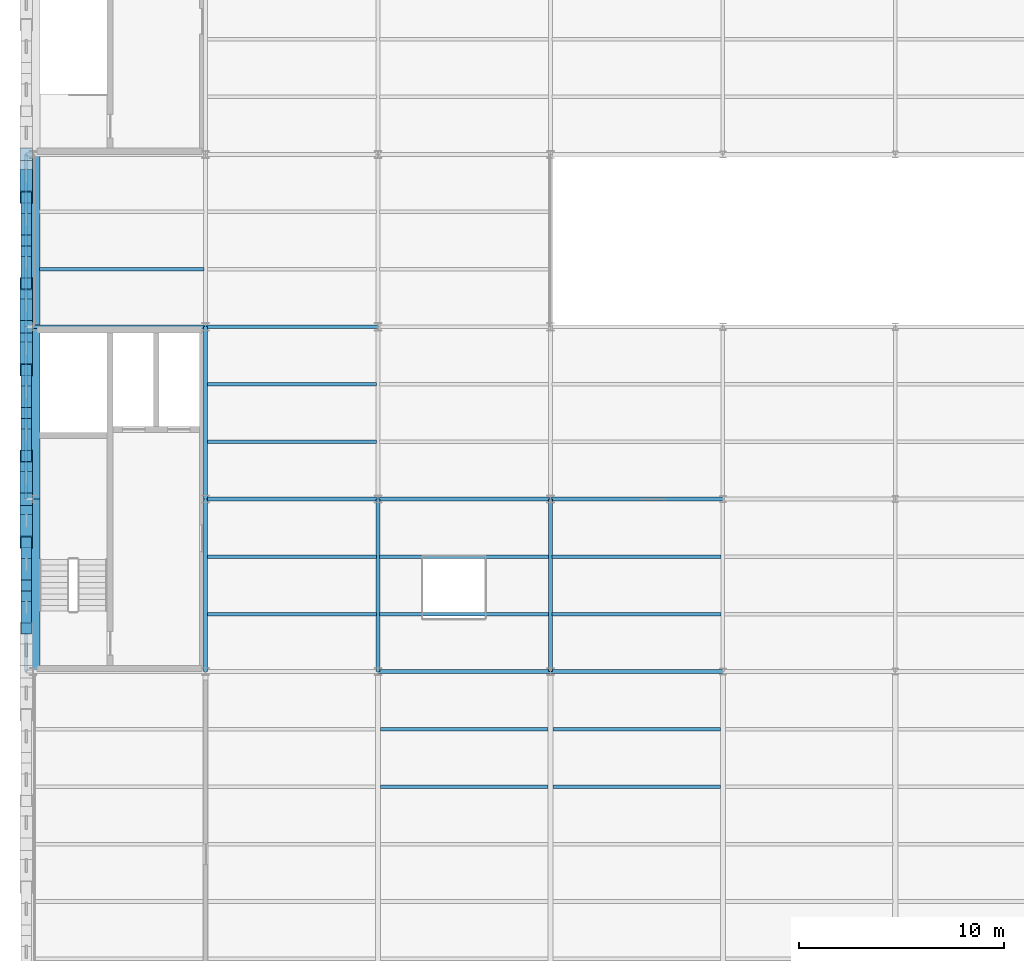
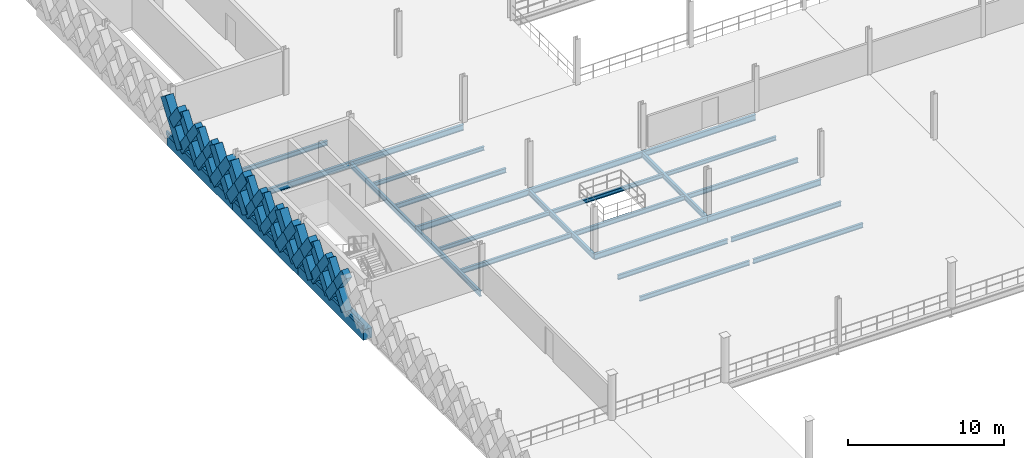
# One storey, part 16 of 47: 35 members, 27 beams.
"""IFC4 building model written with IfcOpenShell, lengths in metres."""

from ifc_helpers import new_model, si_unit, direction, frame, origin, origin_2d, place, context, subcontext, project, spatial, rectangle, hollow_rectangle, i_section, extrude, material, material_profile, profile_set, type_object, element, save


model = new_model("IFC4")

# Units and contexts
model_context = context("Model", 3, precision=1e-05, world=origin(), true_north=direction((0.0, 1.0)))
body_context = subcontext(model_context, "Body", "Model", "MODEL_VIEW")
ifc_project = project(units=[si_unit("LENGTHUNIT", "METRE"), si_unit("AREAUNIT", "SQUARE_METRE"), si_unit("VOLUMEUNIT", "CUBIC_METRE"), si_unit("PLANEANGLEUNIT", "RADIAN"), si_unit("MASSUNIT", "GRAM", prefix="KILO"), si_unit("THERMODYNAMICTEMPERATUREUNIT", "KELVIN"), si_unit("POWERUNIT", "WATT")], contexts=[model_context])

# Site, building, storey
site_placement = place(None, origin())
site = spatial("IfcSite", under=ifc_project, at=site_placement, CompositionType="ELEMENT")
building_placement = place(site_placement, origin())
building = spatial("IfcBuilding", under=site, at=building_placement, Name="Tembeka Court Mobility Hub", CompositionType="ELEMENT")
storey_placement = place(building_placement, frame((0.0, 0.0, 19.800048828125)))
storey = spatial("IfcBuildingStorey", under=building, at=storey_placement, Name="L05", CompositionType="ELEMENT", Elevation=19.800048828125)

# Beams
ifc_material_1 = material(Name="Steel S355", Category="steel")
ifc_material_profile_1 = material_profile(ifc_material_1, i_section(OverallWidth=0.18994140625, OverallDepth=0.45703125, WebThickness=0.009033203125, FlangeThickness=0.014404296875, FilletRadius=0.01025390625, at=origin_2d()), Name="UKB 457x191x74")
ifc_profile_set_1 = profile_set([ifc_material_profile_1], Name="Steel S355")
beam_type_1 = type_object("IfcBeamType", Name="BM-B01", PredefinedType="BEAM", material=ifc_profile_set_1)
beam_1_placement = place(storey_placement, frame((16.800048828125, 38.39990234375, -0.448486328125), z_axis=(1.0, 0.0, 0.0), x_axis=(0.0, 1.0, 0.0)))
element("IfcBeam", 1, at=beam_1_placement, inside=storey, type_object=beam_type_1, Name="Beam B01 (BM-L05-X2693)", PredefinedType="BEAM", context=body_context, shape_type="SweptSolid", body=[
    extrude(i_section(OverallWidth=0.18994140625, OverallDepth=0.45703125, WebThickness=0.009033203125, FlangeThickness=0.014404296875, FilletRadius=0.01025390625, at=origin_2d()), origin(), (0.0, 0.0, 1.0), 8.39990234375),
])
for number, where, z_axis, x_axis, name in (
    (2, (25.199951171875, 38.39990234375, -0.448486328125), (1.0, 0.0, 0.0), (0.0, 1.0, 0.0), "Beam B01 (BM-L05-X2694)"),
    (3, (8.39990234375, 46.800048828125, -0.448486328125), (1.0, 0.0, 0.0), (0.0, 1.0, 0.0), "Beam B01 (BM-L05-X2702)"),
):
    element("IfcBeam", number, at=place(storey_placement, frame(where, z_axis=z_axis, x_axis=x_axis)), inside=storey, type_object=beam_type_1, Name=name, PredefinedType="BEAM", context=body_context, shape_type="SweptSolid", body=[
        extrude(i_section(OverallWidth=0.18994140625, OverallDepth=0.45703125, WebThickness=0.009033203125, FlangeThickness=0.014404296875, FilletRadius=0.01025390625, at=origin_2d()), origin(), (0.0, 0.0, 1.0), 8.400146484375),
    ])
beam_2_placement = place(storey_placement, frame((16.800048828125, 46.800048828125, -0.448486328125), z_axis=(1.0, 0.0, 0.0), x_axis=(0.0, 1.0, 0.0)))
element("IfcBeam", 4, at=beam_2_placement, inside=storey, type_object=beam_type_1, Name="Beam B01 (BM-L05-X2703)", PredefinedType="BEAM", context=body_context, shape_type="SweptSolid", body=[
    extrude(i_section(OverallWidth=0.18994140625, OverallDepth=0.45703125, WebThickness=0.009033203125, FlangeThickness=0.014404296875, FilletRadius=0.01025390625, at=origin_2d()), origin(), (0.0, 0.0, 1.0), 8.39990234375),
])
beam_3_placement = place(storey_placement, frame((25.199951171875, 46.800048828125, -0.448486328125), z_axis=(1.0, 0.0, 0.0), x_axis=(0.0, 1.0, 0.0)))
element("IfcBeam", 5, at=beam_3_placement, inside=storey, type_object=beam_type_1, Name="Beam B01 (BM-L05-X2704)", PredefinedType="BEAM", context=body_context, shape_type="SweptSolid", body=[
    extrude(i_section(OverallWidth=0.18994140625, OverallDepth=0.45703125, WebThickness=0.009033203125, FlangeThickness=0.014404296875, FilletRadius=0.01025390625, at=origin_2d()), origin(), (0.0, 0.0, 1.0), 8.400146484375),
])
beam_4_placement = place(storey_placement, frame((0.0, 55.199951171875, -0.448486328125), z_axis=(1.0, 0.0, 0.0), x_axis=(0.0, 1.0, 0.0)))
element("IfcBeam", 6, at=beam_4_placement, inside=storey, type_object=beam_type_1, Name="Beam B01 (BM-L05-X2711)", PredefinedType="BEAM", context=body_context, shape_type="SweptSolid", body=[
    extrude(i_section(OverallWidth=0.18994140625, OverallDepth=0.45703125, WebThickness=0.009033203125, FlangeThickness=0.014404296875, FilletRadius=0.01025390625, at=origin_2d()), origin(), (0.0, 0.0, 1.0), 8.39990234375),
])
beam_5_placement = place(storey_placement, frame((8.39990234375, 55.199951171875, -0.448486328125), z_axis=(1.0, 0.0, 0.0), x_axis=(0.0, 1.0, 0.0)))
element("IfcBeam", 7, at=beam_5_placement, inside=storey, type_object=beam_type_1, Name="Beam B01 (BM-L05-X2712)", PredefinedType="BEAM", context=body_context, shape_type="SweptSolid", body=[
    extrude(i_section(OverallWidth=0.18994140625, OverallDepth=0.45703125, WebThickness=0.009033203125, FlangeThickness=0.014404296875, FilletRadius=0.01025390625, at=origin_2d()), origin(), (0.0, 0.0, 1.0), 8.400146484375),
])
ifc_material_profile_2 = material_profile(ifc_material_1, i_section(OverallWidth=0.177978515625, OverallDepth=0.406005859375, WebThickness=0.0078125, FlangeThickness=0.0126953125, FilletRadius=0.01025390625, at=origin_2d()), Name="UKB 406x178x60")
ifc_profile_set_2 = profile_set([ifc_material_profile_2], Name="Steel S355")
beam_type_2 = type_object("IfcBeamType", Name="BM-B02", PredefinedType="BEAM", material=ifc_profile_set_2)
beam_6_placement = place(storey_placement, frame((8.39990234375, 38.39990234375, -0.423095703125), z_axis=(0.0, 1.0, 0.0), x_axis=(-1.0, 0.0, 0.0)))
element("IfcBeam", 8, at=beam_6_placement, inside=storey, type_object=beam_type_2, Name="Beam B02 (BM-L05-Y2790)", PredefinedType="BEAM", context=body_context, shape_type="SweptSolid", body=[
    extrude(i_section(OverallWidth=0.177978515625, OverallDepth=0.406005859375, WebThickness=0.0078125, FlangeThickness=0.0126953125, FilletRadius=0.01025390625, at=origin_2d()), origin(), (0.0, 0.0, 1.0), 8.400146484375),
])
beam_7_placement = place(storey_placement, frame((8.39990234375, 46.800048828125, -0.423095703125), z_axis=(0.0, 1.0, 0.0), x_axis=(-1.0, 0.0, 0.0)))
element("IfcBeam", 9, at=beam_7_placement, inside=storey, type_object=beam_type_2, Name="Beam B02 (BM-L05-Y2791)", PredefinedType="BEAM", context=body_context, shape_type="SweptSolid", body=[
    extrude(i_section(OverallWidth=0.177978515625, OverallDepth=0.406005859375, WebThickness=0.0078125, FlangeThickness=0.0126953125, FilletRadius=0.01025390625, at=origin_2d()), origin(), (0.0, 0.0, 1.0), 8.39990234375),
])
for number, where, z_axis, x_axis, name in (
    (10, (16.800048828125, 38.39990234375, -0.423095703125), (0.0, 1.0, 0.0), (-1.0, 0.0, 0.0), "Beam B02 (BM-L05-Y2801)"),
    (11, (25.199951171875, 38.39990234375, -0.423095703125), (0.0, 1.0, 0.0), (-1.0, 0.0, 0.0), "Beam B02 (BM-L05-Y2810)"),
):
    element("IfcBeam", number, at=place(storey_placement, frame(where, z_axis=z_axis, x_axis=x_axis)), inside=storey, type_object=beam_type_2, Name=name, PredefinedType="BEAM", context=body_context, shape_type="SweptSolid", body=[
        extrude(i_section(OverallWidth=0.177978515625, OverallDepth=0.406005859375, WebThickness=0.0078125, FlangeThickness=0.0126953125, FilletRadius=0.01025390625, at=origin_2d()), origin(), (0.0, 0.0, 1.0), 8.400146484375),
    ])
ifc_material_profile_3 = material_profile(ifc_material_1, i_section(OverallWidth=0.172119140625, OverallDepth=0.35498046875, WebThickness=0.00732421875, FlangeThickness=0.011474609375, FilletRadius=0.01025390625, at=origin_2d()), Name="UKB 356x171x51")
ifc_profile_set_3 = profile_set([ifc_material_profile_3], Name="Steel S355")
beam_type_3 = type_object("IfcBeamType", Name="BM-J01", PredefinedType="JOIST", material=ifc_profile_set_3)
for number, where, z_axis, x_axis, name in (
    (12, (16.922119140625, 32.800048828125, -0.3974609375), (1.0, 0.0, 0.0), (0.0, 1.0, 0.0), "Beam J01 (JST-L05-2916)"),
    (13, (16.922119140625, 35.60009765625, -0.3974609375), (1.0, 0.0, 0.0), (0.0, 1.0, 0.0), "Beam J01 (JST-L05-2917)"),
):
    element("IfcBeam", number, at=place(storey_placement, frame(where, z_axis=z_axis, x_axis=x_axis)), inside=storey, type_object=beam_type_3, Name=name, PredefinedType="JOIST", context=body_context, shape_type="SweptSolid", body=[
        extrude(i_section(OverallWidth=0.172119140625, OverallDepth=0.35498046875, WebThickness=0.00732421875, FlangeThickness=0.011474609375, FilletRadius=0.01025390625, at=origin_2d()), origin(), (0.0, 0.0, 1.0), 8.15576171875),
    ])
for number, where, z_axis, x_axis, name in (
    (14, (25.322021484375, 32.800048828125, -0.3974609375), (1.0, 0.0, 0.0), (0.0, 1.0, 0.0), "Beam J01 (JST-L05-2936)"),
    (15, (25.322021484375, 35.60009765625, -0.3974609375), (1.0, 0.0, 0.0), (0.0, 1.0, 0.0), "Beam J01 (JST-L05-2937)"),
):
    element("IfcBeam", number, at=place(storey_placement, frame(where, z_axis=z_axis, x_axis=x_axis)), inside=storey, type_object=beam_type_3, Name=name, PredefinedType="JOIST", context=body_context, shape_type="SweptSolid", body=[
        extrude(i_section(OverallWidth=0.172119140625, OverallDepth=0.35498046875, WebThickness=0.00732421875, FlangeThickness=0.011474609375, FilletRadius=0.01025390625, at=origin_2d()), origin(), (0.0, 0.0, 1.0), 8.156005859375),
    ])
ifc_material_profile_4 = material_profile(ifc_material_1, i_section(OverallWidth=0.1650390625, OverallDepth=0.303955078125, WebThickness=0.006103515625, FlangeThickness=0.01025390625, FilletRadius=0.0087890625, at=origin_2d()), Name="UKB 305x165x40")
ifc_profile_set_4 = profile_set([ifc_material_profile_4], Name="Steel S355")
beam_type_4 = type_object("IfcBeamType", Name="BM-J02", PredefinedType="JOIST", material=ifc_profile_set_4)
for number, where, z_axis, x_axis, name in (
    (16, (8.48388671875, 44.0, -0.3720703125), (1.0, 0.0, 0.0), (0.0, 1.0, 0.0), "Beam J02 (JST-L05-2899)"),
    (17, (8.48388671875, 52.39990234375, -0.3720703125), (1.0, 0.0, 0.0), (0.0, 1.0, 0.0), "Beam J02 (JST-L05-2901)"),
):
    element("IfcBeam", number, at=place(storey_placement, frame(where, z_axis=z_axis, x_axis=x_axis)), inside=storey, type_object=beam_type_4, Name=name, PredefinedType="JOIST", context=body_context, shape_type="SweptSolid", body=[
        extrude(i_section(OverallWidth=0.1650390625, OverallDepth=0.303955078125, WebThickness=0.006103515625, FlangeThickness=0.01025390625, FilletRadius=0.0087890625, at=origin_2d()), origin(), (0.0, 0.0, 1.0), 8.232177734375),
    ])
beam_8_placement = place(storey_placement, frame((16.884033203125, 44.0, -0.3720703125), z_axis=(1.0, 0.0, 0.0), x_axis=(0.0, 1.0, 0.0)))
element("IfcBeam", 18, at=beam_8_placement, inside=storey, type_object=beam_type_4, Name="Beam J02 (JST-L05-2919)", PredefinedType="JOIST", context=body_context, shape_type="SweptSolid", body=[
    extrude(i_section(OverallWidth=0.1650390625, OverallDepth=0.303955078125, WebThickness=0.006103515625, FlangeThickness=0.01025390625, FilletRadius=0.0087890625, at=origin_2d()), origin(), (0.0, 0.0, 1.0), 8.23193359375),
])
beam_9_placement = place(storey_placement, frame((25.283935546875, 44.0, -0.3720703125), z_axis=(1.0, 0.0, 0.0), x_axis=(0.0, 1.0, 0.0)))
element("IfcBeam", 19, at=beam_9_placement, inside=storey, type_object=beam_type_4, Name="Beam J02 (JST-L05-2939)", PredefinedType="JOIST", context=body_context, shape_type="SweptSolid", body=[
    extrude(i_section(OverallWidth=0.1650390625, OverallDepth=0.303955078125, WebThickness=0.006103515625, FlangeThickness=0.01025390625, FilletRadius=0.0087890625, at=origin_2d()), origin(), (0.0, 0.0, 1.0), 8.232177734375),
])
ifc_material_profile_5 = material_profile(ifc_material_1, i_section(OverallWidth=0.169921875, OverallDepth=0.360107421875, WebThickness=0.008056640625, FlangeThickness=0.0126953125, FilletRadius=0.01806640625, at=origin_2d()), Name="IPE 360")
ifc_profile_set_5 = profile_set([ifc_material_profile_5], Name="Steel S355")
beam_type_5 = type_object("IfcBeamType", Name="BM-J03", PredefinedType="JOIST", material=ifc_profile_set_5)
beam_10_placement = place(storey_placement, frame((0.320068359375, 58.0, -0.400146484375), z_axis=(1.0, 0.0, 0.0), x_axis=(0.0, 1.0, 0.0)))
element("IfcBeam", 20, at=beam_10_placement, inside=storey, type_object=beam_type_5, Name="Beam J03 (JST-L05-2886)", PredefinedType="JOIST", context=body_context, shape_type="SweptSolid", body=[
    extrude(i_section(OverallWidth=0.169921875, OverallDepth=0.360107421875, WebThickness=0.008056640625, FlangeThickness=0.0126953125, FilletRadius=0.01806640625, at=origin_2d()), origin(), (0.0, 0.0, 1.0), 7.995849609375),
])
for number, where, z_axis, x_axis, name in (
    (21, (8.48388671875, 41.199951171875, -0.400146484375), (1.0, 0.0, 0.0), (0.0, 1.0, 0.0), "Beam J03 (JST-L05-2898)"),
    (22, (8.48388671875, 49.60009765625, -0.400146484375), (1.0, 0.0, 0.0), (0.0, 1.0, 0.0), "Beam J03 (JST-L05-2900)"),
):
    element("IfcBeam", number, at=place(storey_placement, frame(where, z_axis=z_axis, x_axis=x_axis)), inside=storey, type_object=beam_type_5, Name=name, PredefinedType="JOIST", context=body_context, shape_type="SweptSolid", body=[
        extrude(i_section(OverallWidth=0.169921875, OverallDepth=0.360107421875, WebThickness=0.008056640625, FlangeThickness=0.0126953125, FilletRadius=0.01806640625, at=origin_2d()), origin(), (0.0, 0.0, 1.0), 8.232177734375),
    ])
beam_11_placement = place(storey_placement, frame((16.884033203125, 41.199951171875, -0.400146484375), z_axis=(1.0, 0.0, 0.0), x_axis=(0.0, 1.0, 0.0)))
element("IfcBeam", 23, at=beam_11_placement, inside=storey, type_object=beam_type_5, Name="Beam J03 (JST-L05-2918)", PredefinedType="JOIST", context=body_context, shape_type="SweptSolid", body=[
    extrude(i_section(OverallWidth=0.169921875, OverallDepth=0.360107421875, WebThickness=0.008056640625, FlangeThickness=0.0126953125, FilletRadius=0.01806640625, at=origin_2d()), origin(), (0.0, 0.0, 1.0), 8.23193359375),
])
beam_12_placement = place(storey_placement, frame((25.283935546875, 41.199951171875, -0.400146484375), z_axis=(1.0, 0.0, 0.0), x_axis=(0.0, 1.0, 0.0)))
element("IfcBeam", 24, at=beam_12_placement, inside=storey, type_object=beam_type_5, Name="Beam J03 (JST-L05-2938)", PredefinedType="JOIST", context=body_context, shape_type="SweptSolid", body=[
    extrude(i_section(OverallWidth=0.169921875, OverallDepth=0.360107421875, WebThickness=0.008056640625, FlangeThickness=0.0126953125, FilletRadius=0.01806640625, at=origin_2d()), origin(), (0.0, 0.0, 1.0), 8.232177734375),
])
ifc_material_2 = material(Name="Precast concrete C45/55", Category="concrete")
ifc_material_profile_6 = material_profile(ifc_material_2, rectangle(XDim=0.64990234375, YDim=0.800048828125, at=origin_2d()), Name="PC-SP 650x800")
ifc_profile_set_6 = profile_set([ifc_material_profile_6], Name="Precast concrete C45/55")
beam_type_6 = type_object("IfcBeamType", Name="BM-SP01", PredefinedType="SPANDREL", material=ifc_profile_set_6)
beam_13_placement = place(storey_placement, frame((0.0, 38.39990234375, -0.6201171875), z_axis=(0.0, 1.0, 0.0), x_axis=(-1.0, 0.0, 0.0)))
element("IfcBeam", 25, at=beam_13_placement, inside=storey, type_object=beam_type_6, Name="Beam SP01 (BM-L05-Y2779)", PredefinedType="SPANDREL", context=body_context, shape_type="SweptSolid", body=[
    extrude(rectangle(XDim=0.64990234375, YDim=0.800048828125, at=origin_2d()), origin(), (0.0, 0.0, 1.0), 8.400146484375),
])
beam_14_placement = place(storey_placement, frame((0.0, 46.800048828125, -0.6201171875), z_axis=(0.0, 1.0, 0.0), x_axis=(-1.0, 0.0, 0.0)))
element("IfcBeam", 26, at=beam_14_placement, inside=storey, type_object=beam_type_6, Name="Beam SP01 (BM-L05-Y2780)", PredefinedType="SPANDREL", context=body_context, shape_type="SweptSolid", body=[
    extrude(rectangle(XDim=0.64990234375, YDim=0.800048828125, at=origin_2d()), origin(), (0.0, 0.0, 1.0), 8.39990234375),
])
beam_15_placement = place(storey_placement, frame((0.0, 55.199951171875, -0.6201171875), z_axis=(0.0, 1.0, 0.0), x_axis=(-1.0, 0.0, 0.0)))
element("IfcBeam", 27, at=beam_15_placement, inside=storey, type_object=beam_type_6, Name="Beam SP01 (BM-L05-Y2781)", PredefinedType="SPANDREL", context=body_context, shape_type="SweptSolid", body=[
    extrude(rectangle(XDim=0.64990234375, YDim=0.800048828125, at=origin_2d()), origin(), (0.0, 0.0, 1.0), 8.400146484375),
])

# Members
ifc_material_profile_7 = material_profile(ifc_material_2, rectangle(XDim=0.5, YDim=0.64990234375, at=origin_2d()), Name="PC-DIAG 500x650")
ifc_profile_set_7 = profile_set([ifc_material_profile_7], Name="Precast concrete C45/55")
member_type_1 = type_object("IfcMemberType", Name="MEM-DL01", PredefinedType="BRACE", material=ifc_profile_set_7)
member_1_placement = place(storey_placement, frame((-0.340087890625, 40.5, 0.02001953125), z_axis=(0.0, 0.582576362011, 0.812775973086), x_axis=(-1.0, 0.0, 0.0)))
element("IfcMember", 28, at=member_1_placement, inside=storey, type_object=member_type_1, Name="Precast diamond lattice continuous strand DL01 (L05-896C)", PredefinedType="BRACE", context=body_context, shape_type="SweptSolid", body=[
    extrude(rectangle(XDim=0.5, YDim=0.64990234375, at=origin_2d()), origin(), (0.0, 0.0, 1.0), 3.604736328125),
])
member_2_placement = place(storey_placement, frame((-0.340087890625, 42.60009765625, 0.02001953125), z_axis=(0.0, -0.582608431711, 0.812752985414), x_axis=(1.0, 0.0, 0.0)))
element("IfcMember", 29, at=member_2_placement, inside=storey, type_object=member_type_1, Name="Precast diamond lattice split lower strand DL01 (L05-896D1)", PredefinedType="BRACE", context=body_context, shape_type="SweptSolid", body=[
    extrude(rectangle(XDim=0.5, YDim=0.64990234375, at=origin_2d()), origin(), (0.0, 0.0, 1.0), 1.80224609375),
])
member_3_placement = place(storey_placement, frame((-0.340087890625, 41.550048828125, 1.48486328125), z_axis=(0.0, -0.582544294934, 0.812798956963), x_axis=(1.0, 0.0, 0.0)))
element("IfcMember", 30, at=member_3_placement, inside=storey, type_object=member_type_1, Name="Precast diamond lattice split upper strand DL01 (L05-896D2)", PredefinedType="BRACE", context=body_context, shape_type="SweptSolid", body=[
    extrude(rectangle(XDim=0.5, YDim=0.64990234375, at=origin_2d()), origin(), (0.0, 0.0, 1.0), 1.802490234375),
])
member_4_placement = place(storey_placement, frame((-0.340087890625, 42.60009765625, 0.02001953125), z_axis=(0.0, 0.58253161945, 0.812808041509), x_axis=(-1.0, 0.0, 0.0)))
element("IfcMember", 31, at=member_4_placement, inside=storey, type_object=member_type_1, Name="Precast diamond lattice continuous strand DL01 (L05-897C)", PredefinedType="BRACE", context=body_context, shape_type="SweptSolid", body=[
    extrude(rectangle(XDim=0.5, YDim=0.64990234375, at=origin_2d()), origin(), (0.0, 0.0, 1.0), 3.604736328125),
])
member_5_placement = place(storey_placement, frame((-0.340087890625, 44.699951171875, 0.02001953125), z_axis=(0.0, -0.582608431711, 0.812752985414), x_axis=(1.0, 0.0, 0.0)))
element("IfcMember", 32, at=member_5_placement, inside=storey, type_object=member_type_1, Name="Precast diamond lattice split lower strand DL01 (L05-897D1)", PredefinedType="BRACE", context=body_context, shape_type="SweptSolid", body=[
    extrude(rectangle(XDim=0.5, YDim=0.64990234375, at=origin_2d()), origin(), (0.0, 0.0, 1.0), 1.80224609375),
])
member_6_placement = place(storey_placement, frame((-0.340087890625, 43.64990234375, 1.48486328125), z_axis=(0.0, -0.582454804382, 0.812863088627), x_axis=(1.0, 0.0, 0.0)))
element("IfcMember", 33, at=member_6_placement, inside=storey, type_object=member_type_1, Name="Precast diamond lattice split upper strand DL01 (L05-897D2)", PredefinedType="BRACE", context=body_context, shape_type="SweptSolid", body=[
    extrude(rectangle(XDim=0.5, YDim=0.64990234375, at=origin_2d()), origin(), (0.0, 0.0, 1.0), 1.802490234375),
])
member_7_placement = place(storey_placement, frame((-0.340087890625, 48.89990234375, 0.02001953125), z_axis=(0.0, 0.582576362011, 0.812775973086), x_axis=(-1.0, 0.0, 0.0)))
element("IfcMember", 34, at=member_7_placement, inside=storey, type_object=member_type_1, Name="Precast diamond lattice continuous strand DL01 (L05-900C)", PredefinedType="BRACE", context=body_context, shape_type="SweptSolid", body=[
    extrude(rectangle(XDim=0.5, YDim=0.64990234375, at=origin_2d()), origin(), (0.0, 0.0, 1.0), 3.604736328125),
])
member_8_placement = place(storey_placement, frame((-0.340087890625, 51.0, 0.02001953125), z_axis=(0.0, -0.582608431711, 0.812752985414), x_axis=(1.0, 0.0, 0.0)))
element("IfcMember", 35, at=member_8_placement, inside=storey, type_object=member_type_1, Name="Precast diamond lattice split lower strand DL01 (L05-900D1)", PredefinedType="BRACE", context=body_context, shape_type="SweptSolid", body=[
    extrude(rectangle(XDim=0.5, YDim=0.64990234375, at=origin_2d()), origin(), (0.0, 0.0, 1.0), 1.80224609375),
])
member_9_placement = place(storey_placement, frame((-0.340087890625, 49.949951171875, 1.48486328125), z_axis=(0.0, -0.582544294934, 0.812798956963), x_axis=(1.0, 0.0, 0.0)))
element("IfcMember", 36, at=member_9_placement, inside=storey, type_object=member_type_1, Name="Precast diamond lattice split upper strand DL01 (L05-900D2)", PredefinedType="BRACE", context=body_context, shape_type="SweptSolid", body=[
    extrude(rectangle(XDim=0.5, YDim=0.64990234375, at=origin_2d()), origin(), (0.0, 0.0, 1.0), 1.802490234375),
])
member_10_placement = place(storey_placement, frame((-0.340087890625, 51.0, 0.02001953125), z_axis=(0.0, 0.582576362011, 0.812775973086), x_axis=(-1.0, 0.0, 0.0)))
element("IfcMember", 37, at=member_10_placement, inside=storey, type_object=member_type_1, Name="Precast diamond lattice continuous strand DL01 (L05-901C)", PredefinedType="BRACE", context=body_context, shape_type="SweptSolid", body=[
    extrude(rectangle(XDim=0.5, YDim=0.64990234375, at=origin_2d()), origin(), (0.0, 0.0, 1.0), 3.604736328125),
])
member_11_placement = place(storey_placement, frame((-0.340087890625, 53.10009765625, 0.02001953125), z_axis=(0.0, -0.582608431711, 0.812752985414), x_axis=(1.0, 0.0, 0.0)))
element("IfcMember", 38, at=member_11_placement, inside=storey, type_object=member_type_1, Name="Precast diamond lattice split lower strand DL01 (L05-901D1)", PredefinedType="BRACE", context=body_context, shape_type="SweptSolid", body=[
    extrude(rectangle(XDim=0.5, YDim=0.64990234375, at=origin_2d()), origin(), (0.0, 0.0, 1.0), 1.80224609375),
])
member_12_placement = place(storey_placement, frame((-0.340087890625, 52.050048828125, 1.48486328125), z_axis=(0.0, -0.582544294934, 0.812798956963), x_axis=(1.0, 0.0, 0.0)))
element("IfcMember", 39, at=member_12_placement, inside=storey, type_object=member_type_1, Name="Precast diamond lattice split upper strand DL01 (L05-901D2)", PredefinedType="BRACE", context=body_context, shape_type="SweptSolid", body=[
    extrude(rectangle(XDim=0.5, YDim=0.64990234375, at=origin_2d()), origin(), (0.0, 0.0, 1.0), 1.802490234375),
])
member_13_placement = place(storey_placement, frame((-0.340087890625, 57.300048828125, 0.02001953125), z_axis=(0.0, 0.58253161945, 0.812808041509), x_axis=(-1.0, 0.0, 0.0)))
element("IfcMember", 40, at=member_13_placement, inside=storey, type_object=member_type_1, Name="Precast diamond lattice continuous strand DL01 (L05-904C)", PredefinedType="BRACE", context=body_context, shape_type="SweptSolid", body=[
    extrude(rectangle(XDim=0.5, YDim=0.64990234375, at=origin_2d()), origin(), (0.0, 0.0, 1.0), 3.604736328125),
])
member_14_placement = place(storey_placement, frame((-0.340087890625, 59.39990234375, 0.02001953125), z_axis=(0.0, -0.582518941428, 0.812817127574), x_axis=(1.0, 0.0, 0.0)))
element("IfcMember", 41, at=member_14_placement, inside=storey, type_object=member_type_1, Name="Precast diamond lattice split lower strand DL01 (L05-904D1)", PredefinedType="BRACE", context=body_context, shape_type="SweptSolid", body=[
    extrude(rectangle(XDim=0.5, YDim=0.64990234375, at=origin_2d()), origin(), (0.0, 0.0, 1.0), 1.80224609375),
])
member_15_placement = place(storey_placement, frame((-0.340087890625, 58.35009765625, 1.48486328125), z_axis=(0.0, -0.582544294934, 0.812798956963), x_axis=(1.0, 0.0, 0.0)))
element("IfcMember", 42, at=member_15_placement, inside=storey, type_object=member_type_1, Name="Precast diamond lattice split upper strand DL01 (L05-904D2)", PredefinedType="BRACE", context=body_context, shape_type="SweptSolid", body=[
    extrude(rectangle(XDim=0.5, YDim=0.64990234375, at=origin_2d()), origin(), (0.0, 0.0, 1.0), 1.802490234375),
])
member_16_placement = place(storey_placement, frame((-0.340087890625, 59.39990234375, 0.02001953125), z_axis=(0.0, 0.582576362011, 0.812775973086), x_axis=(-1.0, 0.0, 0.0)))
element("IfcMember", 43, at=member_16_placement, inside=storey, type_object=member_type_1, Name="Precast diamond lattice continuous strand DL01 (L05-905C)", PredefinedType="BRACE", context=body_context, shape_type="SweptSolid", body=[
    extrude(rectangle(XDim=0.5, YDim=0.64990234375, at=origin_2d()), origin(), (0.0, 0.0, 1.0), 3.604736328125),
])
member_17_placement = place(storey_placement, frame((-0.340087890625, 61.5, 0.02001953125), z_axis=(0.0, -0.582608431711, 0.812752985414), x_axis=(1.0, 0.0, 0.0)))
element("IfcMember", 44, at=member_17_placement, inside=storey, type_object=member_type_1, Name="Precast diamond lattice split lower strand DL01 (L05-905D1)", PredefinedType="BRACE", context=body_context, shape_type="SweptSolid", body=[
    extrude(rectangle(XDim=0.5, YDim=0.64990234375, at=origin_2d()), origin(), (0.0, 0.0, 1.0), 1.80224609375),
])
member_18_placement = place(storey_placement, frame((-0.340087890625, 60.449951171875, 1.48486328125), z_axis=(0.0, -0.582544294934, 0.812798956963), x_axis=(1.0, 0.0, 0.0)))
element("IfcMember", 45, at=member_18_placement, inside=storey, type_object=member_type_1, Name="Precast diamond lattice split upper strand DL01 (L05-905D2)", PredefinedType="BRACE", context=body_context, shape_type="SweptSolid", body=[
    extrude(rectangle(XDim=0.5, YDim=0.64990234375, at=origin_2d()), origin(), (0.0, 0.0, 1.0), 1.802490234375),
])
ifc_material_profile_8 = material_profile(ifc_material_2, rectangle(XDim=0.60009765625, YDim=0.75, at=origin_2d()), Name="PC-DIAG 600x750")
ifc_profile_set_8 = profile_set([ifc_material_profile_8], Name="Precast concrete C45/55")
member_type_2 = type_object("IfcMemberType", Name="MEM-DL02", PredefinedType="BRACE", material=ifc_profile_set_8)
member_19_placement = place(storey_placement, frame((-0.340087890625, 44.699951171875, 0.02001953125), z_axis=(0.0, 0.582576362011, 0.812775973086), x_axis=(-1.0, 0.0, 0.0)))
element("IfcMember", 46, at=member_19_placement, inside=storey, type_object=member_type_2, Name="Precast diamond lattice continuous strand DL02 (L05-898C)", PredefinedType="BRACE", context=body_context, shape_type="SweptSolid", body=[
    extrude(rectangle(XDim=0.60009765625, YDim=0.75, at=origin_2d()), origin(), (0.0, 0.0, 1.0), 3.604736328125),
])
member_20_placement = place(storey_placement, frame((-0.340087890625, 46.800048828125, 0.02001953125), z_axis=(0.0, -0.582608431711, 0.812752985414), x_axis=(1.0, 0.0, 0.0)))
element("IfcMember", 47, at=member_20_placement, inside=storey, type_object=member_type_2, Name="Precast diamond lattice split lower strand DL02 (L05-898D1)", PredefinedType="BRACE", context=body_context, shape_type="SweptSolid", body=[
    extrude(rectangle(XDim=0.60009765625, YDim=0.75, at=origin_2d()), origin(), (0.0, 0.0, 1.0), 1.80224609375),
])
member_21_placement = place(storey_placement, frame((-0.340087890625, 45.75, 1.48486328125), z_axis=(0.0, -0.582544294934, 0.812798956963), x_axis=(1.0, 0.0, 0.0)))
element("IfcMember", 48, at=member_21_placement, inside=storey, type_object=member_type_2, Name="Precast diamond lattice split upper strand DL02 (L05-898D2)", PredefinedType="BRACE", context=body_context, shape_type="SweptSolid", body=[
    extrude(rectangle(XDim=0.60009765625, YDim=0.75, at=origin_2d()), origin(), (0.0, 0.0, 1.0), 1.802490234375),
])
member_22_placement = place(storey_placement, frame((-0.340087890625, 46.800048828125, 0.02001953125), z_axis=(0.0, 0.58253161945, 0.812808041509), x_axis=(-1.0, 0.0, 0.0)))
element("IfcMember", 49, at=member_22_placement, inside=storey, type_object=member_type_2, Name="Precast diamond lattice continuous strand DL02 (L05-899C)", PredefinedType="BRACE", context=body_context, shape_type="SweptSolid", body=[
    extrude(rectangle(XDim=0.60009765625, YDim=0.75, at=origin_2d()), origin(), (0.0, 0.0, 1.0), 3.604736328125),
])
member_23_placement = place(storey_placement, frame((-0.340087890625, 48.89990234375, 0.02001953125), z_axis=(0.0, -0.582518941428, 0.812817127574), x_axis=(1.0, 0.0, 0.0)))
element("IfcMember", 50, at=member_23_placement, inside=storey, type_object=member_type_2, Name="Precast diamond lattice split lower strand DL02 (L05-899D1)", PredefinedType="BRACE", context=body_context, shape_type="SweptSolid", body=[
    extrude(rectangle(XDim=0.60009765625, YDim=0.75, at=origin_2d()), origin(), (0.0, 0.0, 1.0), 1.80224609375),
])
member_24_placement = place(storey_placement, frame((-0.340087890625, 47.85009765625, 1.48486328125), z_axis=(0.0, -0.582544294934, 0.812798956963), x_axis=(1.0, 0.0, 0.0)))
element("IfcMember", 51, at=member_24_placement, inside=storey, type_object=member_type_2, Name="Precast diamond lattice split upper strand DL02 (L05-899D2)", PredefinedType="BRACE", context=body_context, shape_type="SweptSolid", body=[
    extrude(rectangle(XDim=0.60009765625, YDim=0.75, at=origin_2d()), origin(), (0.0, 0.0, 1.0), 1.802490234375),
])
member_25_placement = place(storey_placement, frame((-0.340087890625, 53.10009765625, 0.02001953125), z_axis=(0.0, 0.58253161945, 0.812808041509), x_axis=(-1.0, 0.0, 0.0)))
element("IfcMember", 52, at=member_25_placement, inside=storey, type_object=member_type_2, Name="Precast diamond lattice continuous strand DL02 (L05-902C)", PredefinedType="BRACE", context=body_context, shape_type="SweptSolid", body=[
    extrude(rectangle(XDim=0.60009765625, YDim=0.75, at=origin_2d()), origin(), (0.0, 0.0, 1.0), 3.604736328125),
])
member_26_placement = place(storey_placement, frame((-0.340087890625, 55.199951171875, 0.02001953125), z_axis=(0.0, -0.582608431711, 0.812752985414), x_axis=(1.0, 0.0, 0.0)))
element("IfcMember", 53, at=member_26_placement, inside=storey, type_object=member_type_2, Name="Precast diamond lattice split lower strand DL02 (L05-902D1)", PredefinedType="BRACE", context=body_context, shape_type="SweptSolid", body=[
    extrude(rectangle(XDim=0.60009765625, YDim=0.75, at=origin_2d()), origin(), (0.0, 0.0, 1.0), 1.80224609375),
])
member_27_placement = place(storey_placement, frame((-0.340087890625, 54.14990234375, 1.48486328125), z_axis=(0.0, -0.582454804382, 0.812863088627), x_axis=(1.0, 0.0, 0.0)))
element("IfcMember", 54, at=member_27_placement, inside=storey, type_object=member_type_2, Name="Precast diamond lattice split upper strand DL02 (L05-902D2)", PredefinedType="BRACE", context=body_context, shape_type="SweptSolid", body=[
    extrude(rectangle(XDim=0.60009765625, YDim=0.75, at=origin_2d()), origin(), (0.0, 0.0, 1.0), 1.802490234375),
])
member_28_placement = place(storey_placement, frame((-0.340087890625, 55.199951171875, 0.02001953125), z_axis=(0.0, 0.582576362011, 0.812775973086), x_axis=(-1.0, 0.0, 0.0)))
element("IfcMember", 55, at=member_28_placement, inside=storey, type_object=member_type_2, Name="Precast diamond lattice continuous strand DL02 (L05-903C)", PredefinedType="BRACE", context=body_context, shape_type="SweptSolid", body=[
    extrude(rectangle(XDim=0.60009765625, YDim=0.75, at=origin_2d()), origin(), (0.0, 0.0, 1.0), 3.604736328125),
])
member_29_placement = place(storey_placement, frame((-0.340087890625, 57.300048828125, 0.02001953125), z_axis=(0.0, -0.582608431711, 0.812752985414), x_axis=(1.0, 0.0, 0.0)))
element("IfcMember", 56, at=member_29_placement, inside=storey, type_object=member_type_2, Name="Precast diamond lattice split lower strand DL02 (L05-903D1)", PredefinedType="BRACE", context=body_context, shape_type="SweptSolid", body=[
    extrude(rectangle(XDim=0.60009765625, YDim=0.75, at=origin_2d()), origin(), (0.0, 0.0, 1.0), 1.80224609375),
])
member_30_placement = place(storey_placement, frame((-0.340087890625, 56.25, 1.48486328125), z_axis=(0.0, -0.582544294934, 0.812798956963), x_axis=(1.0, 0.0, 0.0)))
element("IfcMember", 57, at=member_30_placement, inside=storey, type_object=member_type_2, Name="Precast diamond lattice split upper strand DL02 (L05-903D2)", PredefinedType="BRACE", context=body_context, shape_type="SweptSolid", body=[
    extrude(rectangle(XDim=0.60009765625, YDim=0.75, at=origin_2d()), origin(), (0.0, 0.0, 1.0), 1.802490234375),
])
member_31_placement = place(storey_placement, frame((-0.340087890625, 61.5, 0.02001953125), z_axis=(0.0, 0.582576362011, 0.812775973086), x_axis=(-1.0, 0.0, 0.0)))
element("IfcMember", 58, at=member_31_placement, inside=storey, type_object=member_type_2, Name="Precast diamond lattice continuous strand DL02 (L05-906C)", PredefinedType="BRACE", context=body_context, shape_type="SweptSolid", body=[
    extrude(rectangle(XDim=0.60009765625, YDim=0.75, at=origin_2d()), origin(), (0.0, 0.0, 1.0), 3.604736328125),
])
member_32_placement = place(storey_placement, frame((-0.340087890625, 62.550048828125, 1.48486328125), z_axis=(0.0, -0.582544294934, 0.812798956963), x_axis=(1.0, 0.0, 0.0)))
element("IfcMember", 59, at=member_32_placement, inside=storey, type_object=member_type_2, Name="Precast diamond lattice split upper strand DL02 (L05-906D2)", PredefinedType="BRACE", context=body_context, shape_type="SweptSolid", body=[
    extrude(rectangle(XDim=0.60009765625, YDim=0.75, at=origin_2d()), origin(), (0.0, 0.0, 1.0), 1.802490234375),
])
ifc_material_profile_9 = material_profile(ifc_material_1, hollow_rectangle(XDim=0.14990234375, YDim=0.300048828125, WallThickness=0.010009765625, at=origin_2d()), Name="RHS 300x150x10")
ifc_profile_set_9 = profile_set([ifc_material_profile_9], Name="Steel S355")
member_type_3 = type_object("IfcMemberType", Name="MEM-ST03", PredefinedType="STRUT", material=ifc_profile_set_9)
member_33_placement = place(storey_placement, frame((-0.340087890625, 38.39990234375, 0.02001953125), z_axis=(0.0, 1.0, 0.0), x_axis=(-1.0, 0.0, 0.0)))
element("IfcMember", 60, at=member_33_placement, inside=storey, type_object=member_type_3, Name="Proud lattice sill tie chord SR03 (L05-W-38)", PredefinedType="STRUT", context=body_context, shape_type="SweptSolid", body=[
    extrude(hollow_rectangle(XDim=0.14990234375, YDim=0.300048828125, WallThickness=0.010009765625, at=origin_2d()), origin(), (0.0, 0.0, 1.0), 8.400146484375),
])
member_34_placement = place(storey_placement, frame((-0.340087890625, 46.800048828125, 0.02001953125), z_axis=(0.0, 1.0, 0.0), x_axis=(-1.0, 0.0, 0.0)))
element("IfcMember", 61, at=member_34_placement, inside=storey, type_object=member_type_3, Name="Proud lattice sill tie chord SR03 (L05-W-46)", PredefinedType="STRUT", context=body_context, shape_type="SweptSolid", body=[
    extrude(hollow_rectangle(XDim=0.14990234375, YDim=0.300048828125, WallThickness=0.010009765625, at=origin_2d()), origin(), (0.0, 0.0, 1.0), 8.39990234375),
])
member_35_placement = place(storey_placement, frame((-0.340087890625, 55.199951171875, 0.02001953125), z_axis=(0.0, 1.0, 0.0), x_axis=(-1.0, 0.0, 0.0)))
element("IfcMember", 62, at=member_35_placement, inside=storey, type_object=member_type_3, Name="Proud lattice sill tie chord SR03 (L05-W-55)", PredefinedType="STRUT", context=body_context, shape_type="SweptSolid", body=[
    extrude(hollow_rectangle(XDim=0.14990234375, YDim=0.300048828125, WallThickness=0.010009765625, at=origin_2d()), origin(), (0.0, 0.0, 1.0), 8.400146484375),
])

save(model, "model.ifc")
